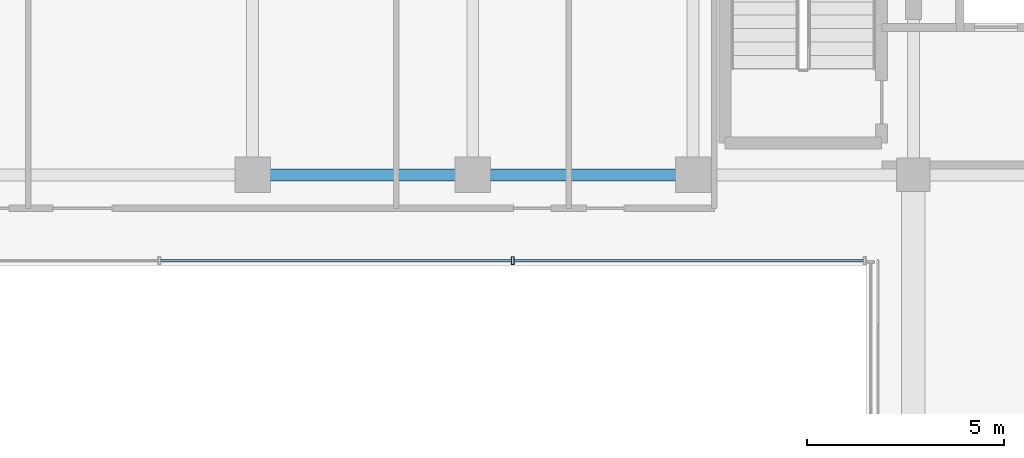
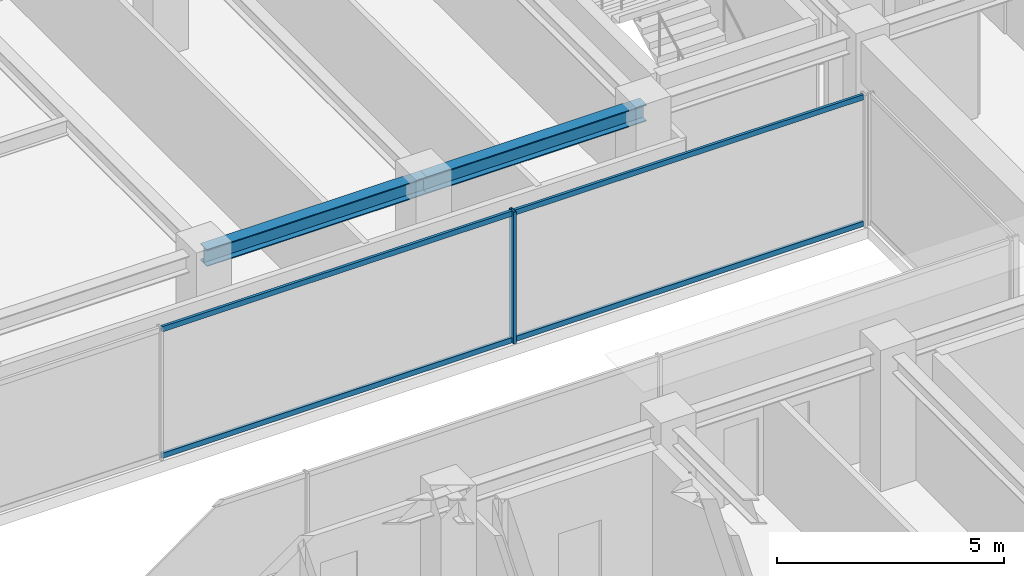
# One storey, part 14 of 41: 5 members, 2 beams, 1 element without a shape of its own.
"""IFC4 building model written with IfcOpenShell, lengths in metres."""

from ifc_helpers import new_model, si_unit, direction, frame, origin, origin_2d, place, context, subcontext, project, spatial, hollow_rectangle, i_section, extrude, source, transform, mapped, material, material_profile, profile_set, type_object, element, aggregate, save


model = new_model("IFC4")

# Units and contexts
model_context = context("Model", 3, precision=1e-05, world=origin(), true_north=direction((0.0, 1.0)))
body_context = subcontext(model_context, "Body", "Model", "MODEL_VIEW")
ifc_project = project(units=[si_unit("LENGTHUNIT", "METRE"), si_unit("AREAUNIT", "SQUARE_METRE"), si_unit("VOLUMEUNIT", "CUBIC_METRE"), si_unit("PLANEANGLEUNIT", "RADIAN"), si_unit("MASSUNIT", "GRAM", prefix="KILO")], contexts=[model_context])

# Site, building, storey
site_placement = place(None, origin())
site = spatial("IfcSite", under=ifc_project, at=site_placement, CompositionType="ELEMENT")
building_placement = place(site_placement, origin())
building = spatial("IfcBuilding", under=site, at=building_placement, Name="Nahalor Promenade Grand Hotel", CompositionType="ELEMENT")
storey_placement = place(building_placement, frame((0.0, 0.0, 304.199951171875)))
storey = spatial("IfcBuildingStorey", under=building, at=storey_placement, Name="L78", CompositionType="ELEMENT", Elevation=304.199951171875)

# Beams
ifc_material_1 = material(Name="Steel S355JR", Category="steel")
ifc_material_profile_1 = material_profile(ifc_material_1, i_section(OverallWidth=0.3, OverallDepth=0.45, WebThickness=0.014, FlangeThickness=0.026, at=origin_2d()), Name="HEB 450")
ifc_profile_set_1 = profile_set([ifc_material_profile_1], Name="Steel S355JR")
beam_type = type_object("IfcBeamType", Name="Beam-Girder-HEB450", PredefinedType="BEAM", material=ifc_profile_set_1)
shared_shape_1 = source(origin(), body_context, "Body", "SweptSolid", [
    extrude(i_section(OverallWidth=0.3, OverallDepth=0.45, WebThickness=0.014, FlangeThickness=0.026, at=origin_2d()), origin(), (0.0, 0.0, 1.0), 5.599853515625),
])
beam_1_placement = place(storey_placement, frame((-8.39990234375, 5.39990234375, 3.324951171875), z_axis=(1.0, 0.0, 0.0), x_axis=(0.0, 1.0, 0.0)))
element("IfcBeam", 1, at=beam_1_placement, inside=storey, type_object=beam_type, Name="BM-L78-GX-2-2", PredefinedType="BEAM", context=body_context, shape_type="MappedRepresentation", body=[
    mapped(shared_shape_1, transform((0.0, 0.0, 0.0), scale=1.0)),
])
shared_shape_2 = source(origin(), body_context, "Body", "SweptSolid", [
    extrude(i_section(OverallWidth=0.3, OverallDepth=0.45, WebThickness=0.014, FlangeThickness=0.026, at=origin_2d()), origin(), (0.0, 0.0, 1.0), 5.60009765625),
])
beam_2_placement = place(storey_placement, frame((-2.800048828125, 5.39990234375, 3.324951171875), z_axis=(1.0, 0.0, 0.0), x_axis=(0.0, 1.0, 0.0)))
element("IfcBeam", 2, at=beam_2_placement, inside=storey, type_object=beam_type, Name="BM-L78-GX-2-3", PredefinedType="BEAM", context=body_context, shape_type="MappedRepresentation", body=[
    mapped(shared_shape_2, transform((0.0, 0.0, 0.0), scale=1.0)),
])

# Curtain wall, members
ifc_material_2 = material(Name="Anodised Bronze Aluminium EN AW-6063 T6", Category="aluminium")
curtain_wall_type = type_object("IfcCurtainWallType", Name="CW3 Elliptical-Void Collar Unitised Curtain Wall", PredefinedType="USERDEFINED", material=ifc_material_2)
curtain_wall_placement = place(storey_placement, origin())
curtain_wall = element("IfcCurtainWall", 3, at=curtain_wall_placement, inside=storey, type_object=curtain_wall_type, Name="L78 Curtain Wall CW-L78-VOID-WN1", ObjectType="UNITISED_CURTAIN_WALL", PredefinedType="USERDEFINED")
ifc_material_profile_2 = material_profile(ifc_material_2, hollow_rectangle(XDim=0.07, YDim=0.14, WallThickness=0.004, at=origin_2d()), Name="CWT 70x140x4")
ifc_profile_set_2 = profile_set([ifc_material_profile_2], Name="Anodised Bronze Aluminium EN AW-6063 T6")
member_type_1 = type_object("IfcMemberType", Name="CWT3 Void Collar Transom 70x140", PredefinedType="USERDEFINED", material=ifc_profile_set_2)
shared_shape_3 = source(origin(), body_context, "Body", "SweptSolid", [
    extrude(hollow_rectangle(XDim=0.07, YDim=0.14, WallThickness=0.004, at=origin_2d()), origin(), (0.0, 0.0, 1.0), 8.881591796875),
])
member_1_placement = place(storey_placement, frame((-1.751708984375, 3.219970703125, 0.070068359375), z_axis=(1.0, 0.0, 0.0), x_axis=(0.0, 1.0, 0.0)))
member_1 = element("IfcMember", 4, at=member_1_placement, type_object=member_type_1, Name="CW-L78-VOID-WN1 Transom 2-0", ObjectType="TRANSOM", PredefinedType="USERDEFINED", context=body_context, shape_type="MappedRepresentation", body=[
    mapped(shared_shape_3, transform((0.0, 0.0, 0.0), scale=1.0)),
])
member_2_placement = place(storey_placement, frame((-1.751708984375, 3.219970703125, 3.47998046875), z_axis=(1.0, 0.0, 0.0), x_axis=(0.0, 1.0, 0.0)))
member_2 = element("IfcMember", 5, at=member_2_placement, type_object=member_type_1, Name="CW-L78-VOID-WN1 Transom 2-1", ObjectType="TRANSOM", PredefinedType="USERDEFINED", context=body_context, shape_type="MappedRepresentation", body=[
    mapped(shared_shape_3, transform((0.0, 0.0, 0.0), scale=1.0)),
])
shared_shape_4 = source(origin(), body_context, "Body", "SweptSolid", [
    extrude(hollow_rectangle(XDim=0.07, YDim=0.14, WallThickness=0.004, at=origin_2d()), origin(), (0.0, 0.0, 1.0), 8.91650390625),
])
member_3_placement = place(storey_placement, frame((-10.73828125, 3.219970703125, 0.070068359375), z_axis=(1.0, 0.0, 0.0), x_axis=(0.0, 1.0, 0.0)))
member_3 = element("IfcMember", 6, at=member_3_placement, type_object=member_type_1, Name="CW-L78-VOID-WN1 Transom 1-0", ObjectType="TRANSOM", PredefinedType="USERDEFINED", context=body_context, shape_type="MappedRepresentation", body=[
    mapped(shared_shape_4, transform((0.0, 0.0, 0.0), scale=1.0)),
])
member_4_placement = place(storey_placement, frame((-10.73828125, 3.219970703125, 3.47998046875), z_axis=(1.0, 0.0, 0.0), x_axis=(0.0, 1.0, 0.0)))
member_4 = element("IfcMember", 7, at=member_4_placement, type_object=member_type_1, Name="CW-L78-VOID-WN1 Transom 1-1", ObjectType="TRANSOM", PredefinedType="USERDEFINED", context=body_context, shape_type="MappedRepresentation", body=[
    mapped(shared_shape_4, transform((0.0, 0.0, 0.0), scale=1.0)),
])
ifc_material_profile_3 = material_profile(ifc_material_2, hollow_rectangle(XDim=0.07, YDim=0.2, WallThickness=0.005, at=origin_2d()), Name="CWM 70x200x5")
ifc_profile_set_3 = profile_set([ifc_material_profile_3], Name="Anodised Bronze Aluminium EN AW-6063 T6")
member_type_2 = type_object("IfcMemberType", Name="CWM3 Void Collar Mullion 70x200", PredefinedType="MULLION", material=ifc_profile_set_3)
shared_shape_5 = source(origin(), body_context, "Body", "SweptSolid", [
    extrude(hollow_rectangle(XDim=0.07, YDim=0.2, WallThickness=0.005, at=origin_2d()), origin(), (0.0, 0.0, 1.0), 3.550048828125),
])
member_5_placement = place(storey_placement, frame((-1.78662109375, 3.219970703125, 0.0), z_axis=(0.0, 0.0, 1.0), x_axis=(1.0, 0.0, 0.0)))
member_5 = element("IfcMember", 8, at=member_5_placement, type_object=member_type_2, Name="CW-L78-VOID-WN1 Mullion 2", PredefinedType="MULLION", context=body_context, shape_type="MappedRepresentation", body=[
    mapped(shared_shape_5, transform((0.0, 0.0, 0.0), scale=1.0)),
])
aggregate(curtain_wall, [member_5, member_3, member_4, member_1, member_2])

save(model, "model.ifc")
